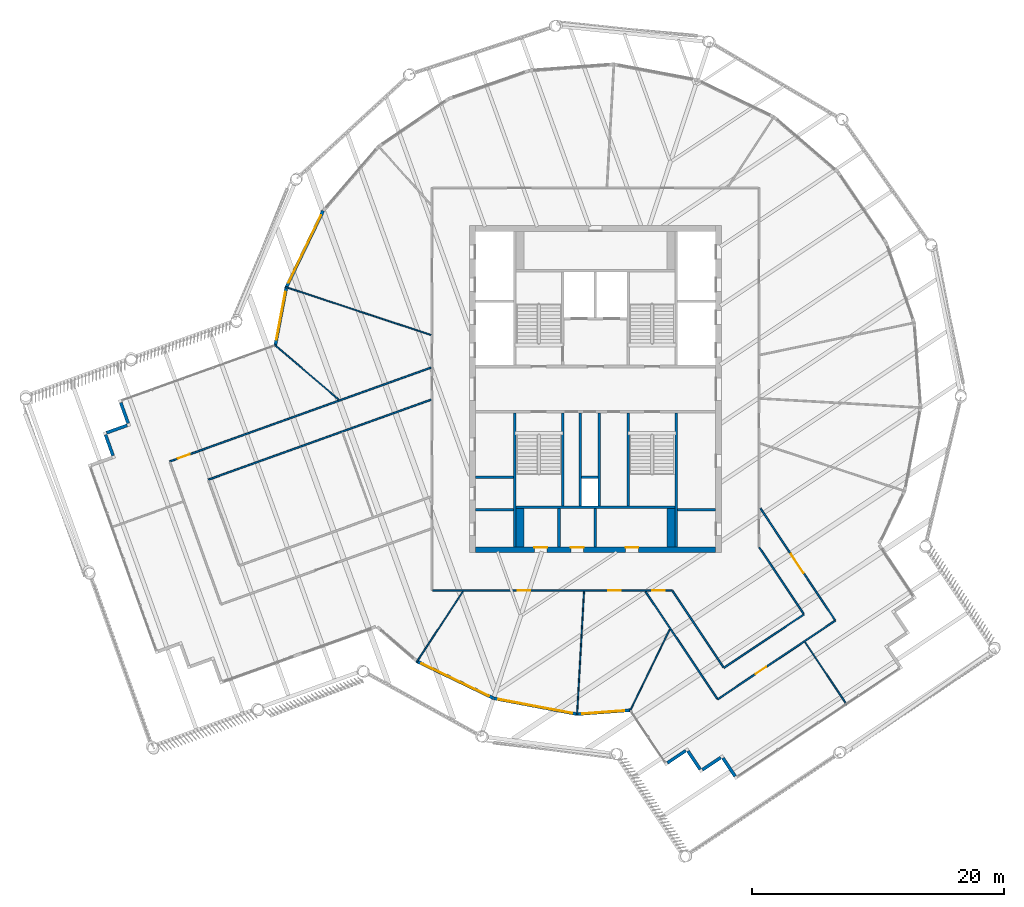
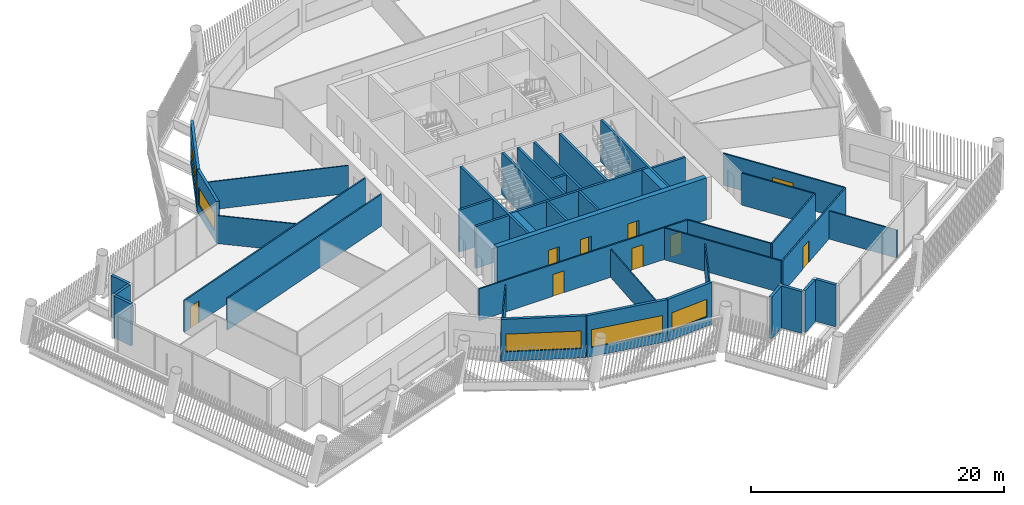
# One storey, part 17 of 28: 43 walls, 9 doors, 5 windows, 14 openings.
"""IFC4 building model written with IfcOpenShell, lengths in metres."""

from ifc_helpers import new_model, si_unit, direction, frame, frame_2d, origin, place, context, subcontext, project, spatial, rectangle, extrude, material, layer, layer_set, type_object, element, fill, save


model = new_model("IFC4")

# Units and contexts
model_context = context("Model", 3, precision=1e-05, world=origin(), true_north=direction((0.0, 1.0)))
body_context = subcontext(model_context, "Body", "Model", "MODEL_VIEW")
ifc_project = project(units=[si_unit("LENGTHUNIT", "METRE"), si_unit("AREAUNIT", "SQUARE_METRE"), si_unit("VOLUMEUNIT", "CUBIC_METRE"), si_unit("PLANEANGLEUNIT", "RADIAN"), si_unit("MASSUNIT", "GRAM", prefix="KILO")], contexts=[model_context])

# Site, building, storey
site_placement = place(None, origin())
site = spatial("IfcSite", under=ifc_project, at=site_placement, CompositionType="ELEMENT")
building_placement = place(site_placement, origin())
building = spatial("IfcBuilding", under=site, at=building_placement, Name="Tarsis Ring Headquarters", CompositionType="ELEMENT")
storey_placement = place(building_placement, frame((0.0, 0.0, 365.0)))
storey = spatial("IfcBuildingStorey", under=building, at=storey_placement, Name="L86", CompositionType="ELEMENT", Elevation=365.0)

# Walls
ifc_material_1 = material(Name="Blockwork", Category="masonry")
ifc_layer_1 = layer(ifc_material_1, 0.199951171875)
ifc_layer_set_1 = layer_set([ifc_layer_1], Name="Core blockwork wall 200")
wall_type_1 = type_object("IfcWallType", Name="Core blockwork wall 200", PredefinedType="PARTITIONING", material=ifc_layer_set_1)
for number, where, z_axis, x_axis, name in (
    (1, (-9.550048828125, -9.60009765625, 0.0), (0.0, 0.0, 1.0), (1.0, 0.0, 0.0), "Core partition WD1"),
    (2, (-9.550048828125, -7.0, 0.0), (0.0, 0.0, 1.0), (1.0, 0.0, 0.0), "Core partition WD2"),
    (3, (6.5, -9.60009765625, 0.0), (0.0, 0.0, 1.0), (1.0, 0.0, 0.0), "Core partition ED1"),
    (4, (-2.89990234375, -12.550048828125, 0.0), (0.0, 0.0, 1.0), (0.0, 1.0, 0.0), "Core partition SD1"),
    (5, (0.0, -12.550048828125, 0.0), (0.0, 0.0, 1.0), (0.0, 1.0, 0.0), "Core partition SD2"),
):
    element("IfcWall", number, at=place(storey_placement, frame(where, z_axis=z_axis, x_axis=x_axis)), inside=storey, type_object=wall_type_1, Name=name, PredefinedType="PARTITIONING", context=body_context, shape_type="SweptSolid", body=[
        extrude(rectangle(XDim=3.050048828125, YDim=0.199951171875, at=frame_2d((1.52490234375, 0.0))), origin(), (0.0, 0.0, 1.0), 4.0400390625),
    ])
wall_1_placement = place(storey_placement, frame((-1.10009765625, -7.0, 0.0), z_axis=(0.0, 0.0, 1.0), x_axis=(1.0, 0.0, 0.0)))
element("IfcWall", 6, at=wall_1_placement, inside=storey, type_object=wall_type_1, Name="Core partition SP2", PredefinedType="PARTITIONING", context=body_context, shape_type="SweptSolid", body=[
    extrude(rectangle(XDim=1.300048828125, YDim=0.199951171875, at=frame_2d((0.64990234375, 0.0))), origin(), (0.0, 0.0, 1.0), 4.0400390625),
])
for number, where, z_axis, x_axis, name in (
    (7, (-1.199951171875, -9.300048828125, 0.0), (0.0, 0.0, 1.0), (0.0, 1.0, 0.0), "Core partition SV1"),
    (8, (0.300048828125, -9.300048828125, 0.0), (0.0, 0.0, 1.0), (0.0, 1.0, 0.0), "Core partition SV2"),
):
    element("IfcWall", number, at=place(storey_placement, frame(where, z_axis=z_axis, x_axis=x_axis)), inside=storey, type_object=wall_type_1, Name=name, PredefinedType="PARTITIONING", context=body_context, shape_type="SweptSolid", body=[
        extrude(rectangle(XDim=7.400146484375, YDim=0.199951171875, at=frame_2d((3.7001953125, 0.0))), origin(), (0.0, 0.0, 1.0), 4.0400390625),
    ])

# Wall, openings, doors
ifc_material_2 = material(Name="Concrete C50/60", Category="concrete")
ifc_layer_2 = layer(ifc_material_2, 0.449951171875)
ifc_layer_set_2 = layer_set([ifc_layer_2], Name="Core wall 450 C50/60")
wall_type_2 = type_object("IfcWallType", Name="Core wall 450 C50/60", PredefinedType="SHEAR", material=ifc_layer_set_2)
wall_2_placement = place(storey_placement, frame((-9.550048828125, -12.77490234375, 0.0), z_axis=(0.0, 0.0, 1.0), x_axis=(1.0, 0.0, 0.0)))
wall_2 = element("IfcWall", 9, at=wall_2_placement, inside=storey, type_object=wall_type_2, Name="Core wall OS", PredefinedType="SHEAR", context=body_context, shape_type="SweptSolid", body=[
    extrude(rectangle(XDim=19.10009765625, YDim=0.449951171875, at=frame_2d((9.550048828125, 0.0))), origin(), (0.0, 0.0, 1.0), 4.0400390625),
])
opening_1_placement = place(wall_2_placement, frame((4.699951171875, 0.0, 0.0)))
opening_1 = element("IfcOpeningElement", 10, at=opening_1_placement, cuts=wall_2, Name="Opening L86-C17", PredefinedType="OPENING", context=body_context, shape_type="SweptSolid", body=[
    extrude(rectangle(XDim=1.0, YDim=2.10009765625, at=frame_2d((0.5, 1.050048828125))), frame((0.0, 0.23486328125, 0.0), z_axis=(0.0, -1.0, 0.0), x_axis=(1.0, 0.0, 0.0)), (0.0, 0.0, 1.0), 0.469970703125),
])
opening_2_placement = place(wall_2_placement, frame((7.60009765625, 0.0, 0.0)))
opening_2 = element("IfcOpeningElement", 11, at=opening_2_placement, cuts=wall_2, Name="Opening L86-C18", PredefinedType="OPENING", context=body_context, shape_type="SweptSolid", body=[
    extrude(rectangle(XDim=1.0, YDim=2.10009765625, at=frame_2d((0.5, 1.050048828125))), frame((0.0, 0.23486328125, 0.0), z_axis=(0.0, -1.0, 0.0), x_axis=(1.0, 0.0, 0.0)), (0.0, 0.0, 1.0), 0.469970703125),
])
opening_3_placement = place(wall_2_placement, frame((11.949951171875, 0.0, 0.0)))
opening_3 = element("IfcOpeningElement", 12, at=opening_3_placement, cuts=wall_2, Name="Opening L86-C19", PredefinedType="OPENING", context=body_context, shape_type="SweptSolid", body=[
    extrude(rectangle(XDim=1.0, YDim=2.10009765625, at=frame_2d((0.5, 1.050048828125))), frame((0.0, 0.23486328125, 0.0), z_axis=(0.0, -1.0, 0.0), x_axis=(1.0, 0.0, 0.0)), (0.0, 0.0, 1.0), 0.469970703125),
])
ifc_material_3 = material(Name="Steel S355", Category="steel")
door_type_1 = type_object("IfcDoorType", Name="Core room door 1000x2100", OperationType="SINGLE_SWING_LEFT", PredefinedType="DOOR", material=ifc_material_3)
door_1_placement = place(opening_1_placement, origin())
door_1 = element("IfcDoor", 13, at=door_1_placement, inside=storey, type_object=door_type_1, Name="Core room door L86", OperationType="SINGLE_SWING_LEFT", OverallHeight=2.10009765625, OverallWidth=1.0, PredefinedType="DOOR", context=body_context, shape_type="SweptSolid", body=[
    extrude(rectangle(XDim=1.0, YDim=2.10009765625, at=frame_2d((0.5, 1.050048828125))), frame((0.0, 0.22509765625, 0.0), z_axis=(0.0, -1.0, 0.0), x_axis=(1.0, 0.0, 0.0)), (0.0, 0.0, 1.0), 0.050048828125),
])
fill(opening_1, door_1)
door_2_placement = place(opening_2_placement, origin())
door_2 = element("IfcDoor", 14, at=door_2_placement, inside=storey, type_object=door_type_1, Name="Core room door L86", OperationType="SINGLE_SWING_LEFT", OverallHeight=2.10009765625, OverallWidth=1.0, PredefinedType="DOOR", context=body_context, shape_type="SweptSolid", body=[
    extrude(rectangle(XDim=1.0, YDim=2.10009765625, at=frame_2d((0.5, 1.050048828125))), frame((0.0, 0.22509765625, 0.0), z_axis=(0.0, -1.0, 0.0), x_axis=(1.0, 0.0, 0.0)), (0.0, 0.0, 1.0), 0.050048828125),
])
fill(opening_2, door_2)
door_3_placement = place(opening_3_placement, origin())
door_3 = element("IfcDoor", 15, at=door_3_placement, inside=storey, type_object=door_type_1, Name="Core room door L86", OperationType="SINGLE_SWING_LEFT", OverallHeight=2.10009765625, OverallWidth=1.0, PredefinedType="DOOR", context=body_context, shape_type="SweptSolid", body=[
    extrude(rectangle(XDim=1.0, YDim=2.10009765625, at=frame_2d((0.5, 1.050048828125))), frame((0.0, 0.22509765625, 0.0), z_axis=(0.0, -1.0, 0.0), x_axis=(1.0, 0.0, 0.0)), (0.0, 0.0, 1.0), 0.050048828125),
])
fill(opening_3, door_3)

# Walls
ifc_material_4 = material(Name="Gypsum board on steel studs", Category="steel")
ifc_layer_3 = layer(ifc_material_4, 0.10009765625)
ifc_layer_set_3 = layer_set([ifc_layer_3], Name="FL partition 100 unrated")
wall_type_3 = type_object("IfcWallType", Name="FL partition 100 unrated", PredefinedType="PARTITIONING", material=ifc_layer_set_3)
wall_3_placement = place(storey_placement, frame((-24.64404296875, 8.12158203125, 0.0), z_axis=(0.0, 0.0, 1.0), x_axis=(0.94975616194, -0.312990787175, 0.0)))
element("IfcWall", 16, at=wall_3_placement, inside=storey, type_object=wall_type_3, Name="Partition PW3", PredefinedType="PARTITIONING", context=body_context, shape_type="SweptSolid", body=[
    extrude(rectangle(XDim=12.18017578125, YDim=0.10009765625, at=frame_2d((6.090087890625, 0.0))), origin(), (0.0, 0.0, 1.0), 2.699951171875),
])
wall_4_placement = place(storey_placement, frame((-1.466552734375, -25.906494140625, 0.0), z_axis=(0.0, 0.0, 1.0), x_axis=(0.056522633009, 0.998401318087, 0.0)))
element("IfcWall", 17, at=wall_4_placement, inside=storey, type_object=wall_type_3, Name="Partition PW3", PredefinedType="PARTITIONING", context=body_context, shape_type="SweptSolid", body=[
    extrude(rectangle(XDim=9.8525390625, YDim=0.10009765625, at=frame_2d((4.92626953125, 0.0))), origin(), (0.0, 0.0, 1.0), 2.699951171875),
])
wall_5_placement = place(storey_placement, frame((2.74462890625, -25.56494140625, 0.0), z_axis=(0.0, 0.0, 1.0), x_axis=(0.438219040433, 0.898868217595, 0.0)))
element("IfcWall", 18, at=wall_5_placement, inside=storey, type_object=wall_type_3, Name="Partition PW3", PredefinedType="PARTITIONING", context=body_context, shape_type="SweptSolid", body=[
    extrude(rectangle(XDim=7.194580078125, YDim=0.10009765625, at=frame_2d((3.59716796875, 0.0))), origin(), (0.0, 0.0, 1.0), 2.699951171875),
])
wall_6_placement = place(storey_placement, frame((-14.22314453125, -21.702392578125, 0.0), z_axis=(0.0, 0.0, 1.0), x_axis=(0.548107797113, 0.83640770127, 0.0)))
element("IfcWall", 19, at=wall_6_placement, inside=storey, type_object=wall_type_3, Name="Partition PW3", PredefinedType="PARTITIONING", context=body_context, shape_type="SweptSolid", body=[
    extrude(rectangle(XDim=6.7177734375, YDim=0.10009765625, at=frame_2d((3.35888671875, 0.0))), origin(), (0.0, 0.0, 1.0), 2.699951171875),
])
wall_7_placement = place(storey_placement, frame((-25.49169921875, 3.513671875, 0.0), z_axis=(0.0, 0.0, 1.0), x_axis=(0.760518407573, -0.649316372612, 0.0)))
element("IfcWall", 20, at=wall_7_placement, inside=storey, type_object=wall_type_3, Name="Partition PW3", PredefinedType="PARTITIONING", context=body_context, shape_type="SweptSolid", body=[
    extrude(rectangle(XDim=6.698486328125, YDim=0.10009765625, at=frame_2d((3.34912109375, 0.0))), origin(), (0.0, 0.0, 1.0), 2.699951171875),
])
wall_8_placement = place(storey_placement, frame((16.64599609375, -20.0986328125, 0.0), z_axis=(0.0, 0.0, 1.0), x_axis=(0.555724976523, -0.831366195168, 0.0)))
element("IfcWall", 21, at=wall_8_placement, inside=storey, type_object=wall_type_3, Name="Partition PW3", PredefinedType="PARTITIONING", context=body_context, shape_type="SweptSolid", body=[
    extrude(rectangle(XDim=5.990234375, YDim=0.10009765625, at=frame_2d((2.9951171875, 0.0))), origin(), (0.0, 0.0, 1.0), 2.699951171875),
])

# Wall, opening, door
ifc_layer_4 = layer(ifc_material_4, 0.125)
ifc_layer_set_4 = layer_set([ifc_layer_4], Name="FL partition 125 EI 60 H3070")
wall_type_4 = type_object("IfcWallType", Name="FL partition 125 EI 60 H3070", PredefinedType="PARTITIONING", material=ifc_layer_set_4)
wall_9_placement = place(storey_placement, frame((-33.848388671875, -5.752197265625, 0.0), z_axis=(0.0, 0.0, 1.0), x_axis=(0.941117447114, 0.338079799364, 0.0)))
wall_9 = element("IfcWall", 22, at=wall_9_placement, inside=storey, type_object=wall_type_4, Name="Partition PW1H307", PredefinedType="PARTITIONING", context=body_context, shape_type="SweptSolid", body=[
    extrude(rectangle(XDim=22.072998046875, YDim=0.125, at=frame_2d((11.03662109375, 0.0))), origin(), (0.0, 0.0, 1.0), 3.070068359375),
])
opening_4_placement = place(wall_9_placement, frame((0.699951171875, 0.0, 0.0)))
opening_4 = element("IfcOpeningElement", 23, at=opening_4_placement, cuts=wall_9, Name="Opening D86.02", PredefinedType="OPENING", context=body_context, shape_type="SweptSolid", body=[
    extrude(rectangle(XDim=1.0, YDim=2.10009765625, at=frame_2d((0.5, 1.050048828125))), frame((0.0, 0.072509765625, 0.0), z_axis=(0.0, -1.0, 0.0), x_axis=(1.0, 0.0, 0.0)), (0.0, 0.0, 1.0), 0.14501953125),
])
ifc_material_5 = material(Name="Fire-rated timber door leaf in steel frame", Category="steel")
door_type_2 = type_object("IfcDoorType", Name="FL door FD60-1000", OperationType="NOTDEFINED", PredefinedType="DOOR", material=ifc_material_5)
door_4_placement = place(opening_4_placement, origin())
door_4 = element("IfcDoor", 24, at=door_4_placement, inside=storey, type_object=door_type_2, Name="Door D86.02", OperationType="SINGLE_SWING_RIGHT", OverallHeight=2.10009765625, OverallWidth=1.0, PredefinedType="DOOR", context=body_context, shape_type="SweptSolid", body=[
    extrude(rectangle(XDim=1.0, YDim=2.10009765625, at=frame_2d((0.5, 1.050048828125))), frame((0.0, 0.02490234375, 0.0), z_axis=(0.0, -1.0, 0.0), x_axis=(1.0, 0.0, 0.0)), (0.0, 0.0, 1.0), 0.050048828125),
])
fill(opening_4, door_4)

# Wall, openings, doors
wall_10_placement = place(storey_placement, frame((-12.93994140625, -16.0, 0.0), z_axis=(0.0, 0.0, 1.0), x_axis=(1.0, 0.0, 0.0)))
wall_10 = element("IfcWall", 25, at=wall_10_placement, inside=storey, type_object=wall_type_4, Name="Partition PW1H307", PredefinedType="PARTITIONING", context=body_context, shape_type="SweptSolid", body=[
    extrude(rectangle(XDim=19.028076171875, YDim=0.125, at=frame_2d((9.51416015625, 0.0))), origin(), (0.0, 0.0, 1.0), 3.070068359375),
])
opening_5_placement = place(wall_10_placement, frame((13.948486328125, 0.0, 0.0)))
opening_5 = element("IfcOpeningElement", 26, at=opening_5_placement, cuts=wall_10, Name="Opening D86.12", PredefinedType="OPENING", context=body_context, shape_type="SweptSolid", body=[
    extrude(rectangle(XDim=1.0, YDim=2.10009765625, at=frame_2d((0.5, 1.050048828125))), frame((0.0, 0.072509765625, 0.0), z_axis=(0.0, -1.0, 0.0), x_axis=(1.0, 0.0, 0.0)), (0.0, 0.0, 1.0), 0.14501953125),
])
opening_6_placement = place(wall_10_placement, frame((6.744140625, 0.0, 0.0)))
opening_6 = element("IfcOpeningElement", 27, at=opening_6_placement, cuts=wall_10, Name="Opening D86.13", PredefinedType="OPENING", context=body_context, shape_type="SweptSolid", body=[
    extrude(rectangle(XDim=1.0, YDim=2.10009765625, at=frame_2d((0.5, 1.050048828125))), frame((0.0, 0.072509765625, 0.0), z_axis=(0.0, -1.0, 0.0), x_axis=(1.0, 0.0, 0.0)), (0.0, 0.0, 1.0), 0.14501953125),
])
opening_7_placement = place(wall_10_placement, frame((17.445556640625, 0.0, 0.0)))
opening_7 = element("IfcOpeningElement", 28, at=opening_7_placement, cuts=wall_10, Name="Opening D86.15", PredefinedType="OPENING", context=body_context, shape_type="SweptSolid", body=[
    extrude(rectangle(XDim=1.0, YDim=2.10009765625, at=frame_2d((0.5, 1.050048828125))), frame((0.0, 0.072509765625, 0.0), z_axis=(0.0, -1.0, 0.0), x_axis=(1.0, 0.0, 0.0)), (0.0, 0.0, 1.0), 0.14501953125),
])
door_5_placement = place(opening_5_placement, origin())
door_5 = element("IfcDoor", 29, at=door_5_placement, inside=storey, type_object=door_type_2, Name="Door D86.12", OperationType="SINGLE_SWING_RIGHT", OverallHeight=2.10009765625, OverallWidth=1.0, PredefinedType="DOOR", context=body_context, shape_type="SweptSolid", body=[
    extrude(rectangle(XDim=1.0, YDim=2.10009765625, at=frame_2d((0.5, 1.050048828125))), frame((0.0, 0.02490234375, 0.0), z_axis=(0.0, -1.0, 0.0), x_axis=(1.0, 0.0, 0.0)), (0.0, 0.0, 1.0), 0.050048828125),
])
fill(opening_5, door_5)
door_6_placement = place(opening_6_placement, origin())
door_6 = element("IfcDoor", 30, at=door_6_placement, inside=storey, type_object=door_type_2, Name="Door D86.13", OperationType="SINGLE_SWING_LEFT", OverallHeight=2.10009765625, OverallWidth=1.0, PredefinedType="DOOR", context=body_context, shape_type="SweptSolid", body=[
    extrude(rectangle(XDim=1.0, YDim=2.10009765625, at=frame_2d((0.5, 1.050048828125))), frame((0.0, 0.02490234375, 0.0), z_axis=(0.0, -1.0, 0.0), x_axis=(1.0, 0.0, 0.0)), (0.0, 0.0, 1.0), 0.050048828125),
])
fill(opening_6, door_6)
door_7_placement = place(opening_7_placement, origin())
door_7 = element("IfcDoor", 31, at=door_7_placement, inside=storey, type_object=door_type_2, Name="Door D86.15", OperationType="SINGLE_SWING_LEFT", OverallHeight=2.10009765625, OverallWidth=1.0, PredefinedType="DOOR", context=body_context, shape_type="SweptSolid", body=[
    extrude(rectangle(XDim=1.0, YDim=2.10009765625, at=frame_2d((0.5, 1.050048828125))), frame((0.0, 0.02490234375, 0.0), z_axis=(0.0, -1.0, 0.0), x_axis=(1.0, 0.0, 0.0)), (0.0, 0.0, 1.0), 0.050048828125),
])
fill(opening_7, door_7)

# Wall
wall_11_placement = place(storey_placement, frame((-30.7783203125, -7.199462890625, 0.0), z_axis=(0.0, 0.0, 1.0), x_axis=(0.941120146282, 0.338072285558, 0.0)))
element("IfcWall", 32, at=wall_11_placement, inside=storey, type_object=wall_type_4, Name="Partition PW1H307", PredefinedType="PARTITIONING", context=body_context, shape_type="SweptSolid", body=[
    extrude(rectangle(XDim=18.810791015625, YDim=0.125, at=frame_2d((9.4052734375, 0.0))), origin(), (0.0, 0.0, 1.0), 3.070068359375),
])

# Wall, opening, door
wall_12_placement = place(storey_placement, frame((9.706787109375, -24.65283203125, 0.0), z_axis=(0.0, 0.0, 1.0), x_axis=(0.831375869595, 0.555710503279, 0.0)))
wall_12 = element("IfcWall", 33, at=wall_12_placement, inside=storey, type_object=wall_type_4, Name="Partition PW1H307", PredefinedType="PARTITIONING", context=body_context, shape_type="SweptSolid", body=[
    extrude(rectangle(XDim=11.260009765625, YDim=0.125, at=frame_2d((5.6298828125, 0.0))), origin(), (0.0, 0.0, 1.0), 3.070068359375),
])
opening_8_placement = place(wall_12_placement, frame((3.648193359375, 0.0, 0.0)))
opening_8 = element("IfcOpeningElement", 34, at=opening_8_placement, cuts=wall_12, Name="Opening D86.11", PredefinedType="OPENING", context=body_context, shape_type="SweptSolid", body=[
    extrude(rectangle(XDim=1.0, YDim=2.10009765625, at=frame_2d((0.5, 1.050048828125))), frame((0.0, 0.072509765625, 0.0), z_axis=(0.0, -1.0, 0.0), x_axis=(1.0, 0.0, 0.0)), (0.0, 0.0, 1.0), 0.14501953125),
])
door_8_placement = place(opening_8_placement, origin())
door_8 = element("IfcDoor", 35, at=door_8_placement, inside=storey, type_object=door_type_2, Name="Door D86.11", OperationType="SINGLE_SWING_LEFT", OverallHeight=2.10009765625, OverallWidth=1.0, PredefinedType="DOOR", context=body_context, shape_type="SweptSolid", body=[
    extrude(rectangle(XDim=1.0, YDim=2.10009765625, at=frame_2d((0.5, 1.050048828125))), frame((0.0, 0.02490234375, 0.0), z_axis=(0.0, -1.0, 0.0), x_axis=(1.0, 0.0, 0.0)), (0.0, 0.0, 1.0), 0.050048828125),
])
fill(opening_8, door_8)

wall_13_placement = place(storey_placement, frame((13.105712890625, -9.475341796875, 0.0), z_axis=(0.0, 0.0, 1.0), x_axis=(0.555713635573, -0.83137377589, 0.0)))
wall_13 = element("IfcWall", 36, at=wall_13_placement, inside=storey, type_object=wall_type_4, Name="Partition PW1H307", PredefinedType="PARTITIONING", context=body_context, shape_type="SweptSolid", body=[
    extrude(rectangle(XDim=10.66943359375, YDim=0.125, at=frame_2d((5.334716796875, 0.0))), origin(), (0.0, 0.0, 1.0), 3.070068359375),
])
opening_9_placement = place(wall_13_placement, frame((4.36962890625, 0.0, 0.0)))
opening_9 = element("IfcOpeningElement", 37, at=opening_9_placement, cuts=wall_13, Name="Opening D86.10", PredefinedType="OPENING", context=body_context, shape_type="SweptSolid", body=[
    extrude(rectangle(XDim=1.800048828125, YDim=2.10009765625, at=frame_2d((0.89990234375, 1.050048828125))), frame((0.0, 0.072509765625, 0.0), z_axis=(0.0, -1.0, 0.0), x_axis=(1.0, 0.0, 0.0)), (0.0, 0.0, 1.0), 0.14501953125),
])
door_type_3 = type_object("IfcDoorType", Name="FL door FD60-1800", OperationType="DOUBLE_DOOR_SINGLE_SWING", PredefinedType="DOOR", material=ifc_material_5)
door_9_placement = place(opening_9_placement, origin())
door_9 = element("IfcDoor", 38, at=door_9_placement, inside=storey, type_object=door_type_3, Name="Door D86.10", OperationType="DOUBLE_DOOR_SINGLE_SWING", OverallHeight=2.10009765625, OverallWidth=1.800048828125, PredefinedType="DOOR", context=body_context, shape_type="SweptSolid", body=[
    extrude(rectangle(XDim=1.800048828125, YDim=2.10009765625, at=frame_2d((0.89990234375, 1.050048828125))), frame((0.0, 0.02490234375, 0.0), z_axis=(0.0, -1.0, 0.0), x_axis=(1.0, 0.0, 0.0)), (0.0, 0.0, 1.0), 0.050048828125),
])
fill(opening_9, door_9)

# Walls
wall_14_placement = place(storey_placement, frame((3.984130859375, -16.091552734375, 0.0), z_axis=(0.0, 0.0, 1.0), x_axis=(0.555723349966, -0.831367282435, 0.0)))
element("IfcWall", 39, at=wall_14_placement, inside=storey, type_object=wall_type_4, Name="Partition PW1H307", PredefinedType="PARTITIONING", context=body_context, shape_type="SweptSolid", body=[
    extrude(rectangle(XDim=10.238037109375, YDim=0.125, at=frame_2d((5.119140625, 0.0))), origin(), (0.0, 0.0, 1.0), 3.070068359375),
])
wall_15_placement = place(storey_placement, frame((10.202880859375, -22.15625, 0.0), z_axis=(0.0, 0.0, 1.0), x_axis=(0.831373014781, 0.555714774227, 0.0)))
element("IfcWall", 40, at=wall_15_placement, inside=storey, type_object=wall_type_4, Name="Partition PW1H307", PredefinedType="PARTITIONING", context=body_context, shape_type="SweptSolid", body=[
    extrude(rectangle(XDim=7.66015625, YDim=0.125, at=frame_2d((3.830078125, 0.0))), origin(), (0.0, 0.0, 1.0), 3.070068359375),
])
wall_16_placement = place(storey_placement, frame((6.1103515625, -16.033203125, 0.0), z_axis=(0.0, 0.0, 1.0), x_axis=(0.555710164694, -0.831376095913, 0.0)))
element("IfcWall", 41, at=wall_16_placement, inside=storey, type_object=wall_type_4, Name="Partition PW1H307", PredefinedType="PARTITIONING", context=body_context, shape_type="SweptSolid", body=[
    extrude(rectangle(XDim=7.3046875, YDim=0.125, at=frame_2d((3.65234375, 0.0))), origin(), (0.0, 0.0, 1.0), 3.070068359375),
])
wall_17_placement = place(storey_placement, frame((13.0166015625, -12.581298828125, 0.0), z_axis=(0.0, 0.0, 1.0), x_axis=(0.555713340939, -0.831373972832, 0.0)))
element("IfcWall", 42, at=wall_17_placement, inside=storey, type_object=wall_type_4, Name="Partition PW1H307", PredefinedType="PARTITIONING", context=body_context, shape_type="SweptSolid", body=[
    extrude(rectangle(XDim=6.3369140625, YDim=0.125, at=frame_2d((3.16845703125, 0.0))), origin(), (0.0, 0.0, 1.0), 3.070068359375),
])

# Wall, opening, window
ifc_material_6 = material(Name="Terracotta clad insulated panel wall", Category="masonry")
ifc_layer_5 = layer(ifc_material_6, 0.25)
ifc_layer_set_5 = layer_set([ifc_layer_5], Name="Facade wall terracotta panel 250")
wall_type_5 = type_object("IfcWallType", Name="Facade wall terracotta panel 250", PredefinedType="STANDARD", material=ifc_layer_set_5)
wall_18_placement = place(storey_placement, frame((-14.16796875, -21.647705078125, 0.0), z_axis=(0.0, 0.0, 1.0), x_axis=(0.900784919903, -0.434265504127, 0.0)))
wall_18 = element("IfcWall", 43, at=wall_18_placement, inside=storey, type_object=wall_type_5, Name="External wall L86-03", PredefinedType="STANDARD", context=body_context, shape_type="SweptSolid", body=[
    extrude(rectangle(XDim=6.7216796875, YDim=0.25, at=frame_2d((3.36083984375, 0.0))), origin(), (0.0, 0.0, 1.0), 4.0400390625),
])
opening_10_placement = place(wall_18_placement, frame((0.3857421875, 0.0, 0.89990234375)))
opening_10 = element("IfcOpeningElement", 44, at=opening_10_placement, cuts=wall_18, Name="Opening WN07", PredefinedType="OPENING", context=body_context, shape_type="SweptSolid", body=[
    extrude(rectangle(XDim=5.949951171875, YDim=1.699951171875, at=frame_2d((2.97509765625, 0.85009765625))), frame((0.0, 0.135009765625, 0.0), z_axis=(0.0, -1.0, 0.0), x_axis=(1.0, 0.0, 0.0)), (0.0, 0.0, 1.0), 0.27001953125),
])
ifc_material_7 = material(Name="Aluminium framed double glazing", Category="aluminium")
window_type_1 = type_object("IfcWindowType", Name="Facade window 5950 x 1700", PartitioningType="SINGLE_PANEL", PredefinedType="WINDOW", material=ifc_material_7)
window_1_placement = place(opening_10_placement, origin())
window_1 = element("IfcWindow", 45, at=window_1_placement, inside=storey, type_object=window_type_1, Name="Window L86-03.1", OverallHeight=1.699951171875, OverallWidth=5.949951171875, PartitioningType="SINGLE_PANEL", PredefinedType="WINDOW", context=body_context, shape_type="SweptSolid", body=[
    extrude(rectangle(XDim=5.949951171875, YDim=1.699951171875, at=frame_2d((2.97509765625, 0.85009765625))), frame((0.0, 0.030029296875, 0.0), z_axis=(0.0, -1.0, 0.0), x_axis=(1.0, 0.0, 0.0)), (0.0, 0.0, 1.0), 0.06005859375),
])
fill(opening_10, window_1)

wall_19_placement = place(storey_placement, frame((-8.082275390625, -24.576904296875, 0.0), z_axis=(0.0, 0.0, 1.0), x_axis=(0.982479759493, -0.186369316646, 0.0)))
wall_19 = element("IfcWall", 46, at=wall_19_placement, inside=storey, type_object=wall_type_5, Name="External wall L86-04", PredefinedType="STANDARD", context=body_context, shape_type="SweptSolid", body=[
    extrude(rectangle(XDim=6.721435546875, YDim=0.25, at=frame_2d((3.36083984375, 0.0))), origin(), (0.0, 0.0, 1.0), 4.0400390625),
])
opening_11_placement = place(wall_19_placement, frame((0.3857421875, 0.0, 0.89990234375)))
opening_11 = element("IfcOpeningElement", 47, at=opening_11_placement, cuts=wall_19, Name="Opening WN07", PredefinedType="OPENING", context=body_context, shape_type="SweptSolid", body=[
    extrude(rectangle(XDim=5.949951171875, YDim=1.699951171875, at=frame_2d((2.97509765625, 0.85009765625))), frame((0.0, 0.135009765625, 0.0), z_axis=(0.0, -1.0, 0.0), x_axis=(1.0, 0.0, 0.0)), (0.0, 0.0, 1.0), 0.27001953125),
])
window_2_placement = place(opening_11_placement, origin())
window_2 = element("IfcWindow", 48, at=window_2_placement, inside=storey, type_object=window_type_1, Name="Window L86-04.1", OverallHeight=1.699951171875, OverallWidth=5.949951171875, PartitioningType="SINGLE_PANEL", PredefinedType="WINDOW", context=body_context, shape_type="SweptSolid", body=[
    extrude(rectangle(XDim=5.949951171875, YDim=1.699951171875, at=frame_2d((2.97509765625, 0.85009765625))), frame((0.0, 0.030029296875, 0.0), z_axis=(0.0, -1.0, 0.0), x_axis=(1.0, 0.0, 0.0)), (0.0, 0.0, 1.0), 0.06005859375),
])
fill(opening_11, window_2)

wall_20_placement = place(storey_placement, frame((-1.446044921875, -25.831298828125, 0.0), z_axis=(0.0, 0.0, 1.0), x_axis=(0.997235801333, 0.074301793656, 0.0)))
wall_20 = element("IfcWall", 49, at=wall_20_placement, inside=storey, type_object=wall_type_5, Name="External wall L86-05", PredefinedType="STANDARD", context=body_context, shape_type="SweptSolid", body=[
    extrude(rectangle(XDim=4.20263671875, YDim=0.25, at=frame_2d((2.101318359375, 0.0))), origin(), (0.0, 0.0, 1.0), 4.0400390625),
])
opening_12_placement = place(wall_20_placement, frame((0.38720703125, 0.0, 0.89990234375)))
opening_12 = element("IfcOpeningElement", 50, at=opening_12_placement, cuts=wall_20, Name="Opening WN01", PredefinedType="OPENING", context=body_context, shape_type="SweptSolid", body=[
    extrude(rectangle(XDim=3.35009765625, YDim=1.699951171875, at=frame_2d((1.675048828125, 0.85009765625))), frame((0.0, 0.135009765625, 0.0), z_axis=(0.0, -1.0, 0.0), x_axis=(1.0, 0.0, 0.0)), (0.0, 0.0, 1.0), 0.27001953125),
])
window_type_2 = type_object("IfcWindowType", Name="Facade window 3350 x 1700", PartitioningType="SINGLE_PANEL", PredefinedType="WINDOW", material=ifc_material_7)
window_3_placement = place(opening_12_placement, origin())
window_3 = element("IfcWindow", 51, at=window_3_placement, inside=storey, type_object=window_type_2, Name="Window L86-05.1", OverallHeight=1.699951171875, OverallWidth=3.35009765625, PartitioningType="SINGLE_PANEL", PredefinedType="WINDOW", context=body_context, shape_type="SweptSolid", body=[
    extrude(rectangle(XDim=3.35009765625, YDim=1.699951171875, at=frame_2d((1.675048828125, 0.85009765625))), frame((0.0, 0.030029296875, 0.0), z_axis=(0.0, -1.0, 0.0), x_axis=(1.0, 0.0, 0.0)), (0.0, 0.0, 1.0), 0.06005859375),
])
fill(opening_12, window_3)

# Walls
for number, where, z_axis, x_axis, name in (
    (52, (5.721923828125, -29.7041015625, 0.0), (0.0, 0.0, 1.0), (0.831384304939, 0.555697883298, 0.0), "External wall L86-07"),
    (53, (7.350341796875, -28.76611328125, 0.0), (0.0, 0.0, 1.0), (0.555697883298, -0.831384304939, 0.0), "External wall L86-08"),
    (54, (8.49609375, -30.25537109375, 0.0), (0.0, 0.0, 1.0), (0.831384304939, 0.555697883298, 0.0), "External wall L86-09"),
    (55, (10.12451171875, -29.3173828125, 0.0), (0.0, 0.0, 1.0), (0.555633432265, -0.831427380442, 0.0), "External wall L86-10"),
):
    element("IfcWall", number, at=place(storey_placement, frame(where, z_axis=z_axis, x_axis=x_axis)), inside=storey, type_object=wall_type_5, Name=name, PredefinedType="STANDARD", context=body_context, shape_type="SweptSolid", body=[
        extrude(rectangle(XDim=1.75, YDim=0.25, at=frame_2d((0.875, 0.0))), origin(), (0.0, 0.0, 1.0), 4.0400390625),
    ])

# Wall, opening, window
wall_21_placement = place(storey_placement, frame((-21.647705078125, 14.16796875, 0.0), z_axis=(0.0, 0.0, 1.0), x_axis=(-0.434265504127, -0.900784919903, 0.0)))
wall_21 = element("IfcWall", 56, at=wall_21_placement, inside=storey, type_object=wall_type_5, Name="External wall L86-29", PredefinedType="STANDARD", context=body_context, shape_type="SweptSolid", body=[
    extrude(rectangle(XDim=6.7216796875, YDim=0.25, at=frame_2d((3.36083984375, 0.0))), origin(), (0.0, 0.0, 1.0), 4.0400390625),
])
opening_13_placement = place(wall_21_placement, frame((0.3857421875, 0.0, 0.89990234375)))
opening_13 = element("IfcOpeningElement", 57, at=opening_13_placement, cuts=wall_21, Name="Opening WN07", PredefinedType="OPENING", context=body_context, shape_type="SweptSolid", body=[
    extrude(rectangle(XDim=5.949951171875, YDim=1.699951171875, at=frame_2d((2.97509765625, 0.85009765625))), frame((0.0, 0.135009765625, 0.0), z_axis=(0.0, -1.0, 0.0), x_axis=(1.0, 0.0, 0.0)), (0.0, 0.0, 1.0), 0.27001953125),
])
window_4_placement = place(opening_13_placement, origin())
window_4 = element("IfcWindow", 58, at=window_4_placement, inside=storey, type_object=window_type_1, Name="Window L86-29.1", OverallHeight=1.699951171875, OverallWidth=5.949951171875, PartitioningType="SINGLE_PANEL", PredefinedType="WINDOW", context=body_context, shape_type="SweptSolid", body=[
    extrude(rectangle(XDim=5.949951171875, YDim=1.699951171875, at=frame_2d((2.97509765625, 0.85009765625))), frame((0.0, 0.030029296875, 0.0), z_axis=(0.0, -1.0, 0.0), x_axis=(1.0, 0.0, 0.0)), (0.0, 0.0, 1.0), 0.06005859375),
])
fill(opening_13, window_4)

wall_22_placement = place(storey_placement, frame((-24.576904296875, 8.082275390625, 0.0), z_axis=(0.0, 0.0, 1.0), x_axis=(-0.186349336609, -0.982483549351, 0.0)))
wall_22 = element("IfcWall", 59, at=wall_22_placement, inside=storey, type_object=wall_type_5, Name="External wall L86-30", PredefinedType="STANDARD", context=body_context, shape_type="SweptSolid", body=[
    extrude(rectangle(XDim=4.662841796875, YDim=0.25, at=frame_2d((2.33154296875, 0.0))), origin(), (0.0, 0.0, 1.0), 4.0400390625),
])
opening_14_placement = place(wall_22_placement, frame((0.367431640625, 0.0, 0.89990234375)))
opening_14 = element("IfcOpeningElement", 60, at=opening_14_placement, cuts=wall_22, Name="Opening WN02", PredefinedType="OPENING", context=body_context, shape_type="SweptSolid", body=[
    extrude(rectangle(XDim=3.85009765625, YDim=1.699951171875, at=frame_2d((1.925048828125, 0.85009765625))), frame((0.0, 0.135009765625, 0.0), z_axis=(0.0, -1.0, 0.0), x_axis=(1.0, 0.0, 0.0)), (0.0, 0.0, 1.0), 0.27001953125),
])
window_type_3 = type_object("IfcWindowType", Name="Facade window 3850 x 1700", PartitioningType="SINGLE_PANEL", PredefinedType="WINDOW", material=ifc_material_7)
window_5_placement = place(opening_14_placement, origin())
window_5 = element("IfcWindow", 61, at=window_5_placement, inside=storey, type_object=window_type_3, Name="Window L86-30.1", OverallHeight=1.699951171875, OverallWidth=3.85009765625, PartitioningType="SINGLE_PANEL", PredefinedType="WINDOW", context=body_context, shape_type="SweptSolid", body=[
    extrude(rectangle(XDim=3.85009765625, YDim=1.699951171875, at=frame_2d((1.925048828125, 0.85009765625))), frame((0.0, 0.030029296875, 0.0), z_axis=(0.0, -1.0, 0.0), x_axis=(1.0, 0.0, 0.0)), (0.0, 0.0, 1.0), 0.06005859375),
])
fill(opening_14, window_5)

# Walls
for number, where, z_axis, x_axis, name in (
    (62, (-37.735107421875, -1.070556640625, 0.0), (0.0, 0.0, 1.0), (0.338156256458, -0.941089977748, 0.0), "External wall L86-32"),
    (63, (-37.21875, -2.87744140625, 0.0), (0.0, 0.0, 1.0), (-0.941134366663, -0.338032696475, 0.0), "External wall L86-33"),
    (64, (-38.941162109375, -3.62890625, 0.0), (0.0, 0.0, 1.0), (0.338156256458, -0.941089977748, 0.0), "External wall L86-34"),
):
    element("IfcWall", number, at=place(storey_placement, frame(where, z_axis=z_axis, x_axis=x_axis)), inside=storey, type_object=wall_type_5, Name=name, PredefinedType="STANDARD", context=body_context, shape_type="SweptSolid", body=[
        extrude(rectangle(XDim=1.75, YDim=0.25, at=frame_2d((0.875, 0.0))), origin(), (0.0, 0.0, 1.0), 4.0400390625),
    ])
ifc_material_8 = material(Name="Concrete C32/40", Category="concrete")
ifc_layer_6 = layer(ifc_material_8, 0.60009765625)
ifc_layer_set_6 = layer_set([ifc_layer_6], Name="Shaft end wall 600 C32/40")
wall_type_6 = type_object("IfcWallType", Name="Shaft end wall 600 C32/40", PredefinedType="SOLIDWALL", material=ifc_layer_set_6)
for number, where, z_axis, x_axis, name in (
    (65, (-6.0, -12.550048828125, 0.0), (0.0, 0.0, 1.0), (0.0, 1.0, 0.0), "Core shaft wall SNE1"),
    (66, (6.0, -12.550048828125, 0.0), (0.0, 0.0, 1.0), (0.0, 1.0, 0.0), "Core shaft wall SNE2"),
):
    element("IfcWall", number, at=place(storey_placement, frame(where, z_axis=z_axis, x_axis=x_axis)), inside=storey, type_object=wall_type_6, Name=name, PredefinedType="SOLIDWALL", context=body_context, shape_type="SweptSolid", body=[
        extrude(rectangle(XDim=3.050048828125, YDim=0.60009765625, at=frame_2d((1.52490234375, 0.0))), origin(), (0.0, 0.0, 1.0), 4.0400390625),
    ])
ifc_layer_7 = layer(ifc_material_8, 0.199951171875)
ifc_layer_set_7 = layer_set([ifc_layer_7], Name="Shaft wall 200 C32/40")
wall_type_7 = type_object("IfcWallType", Name="Shaft wall 200 C32/40", PredefinedType="SOLIDWALL", material=ifc_layer_set_7)
for number, where, z_axis, x_axis, name in (
    (67, (-6.39990234375, -12.550048828125, 0.0), (0.0, 0.0, 1.0), (0.0, 1.0, 0.0), "Core shaft wall WB1"),
    (68, (6.39990234375, -12.550048828125, 0.0), (0.0, 0.0, 1.0), (0.0, 1.0, 0.0), "Core shaft wall EB1"),
):
    element("IfcWall", number, at=place(storey_placement, frame(where, z_axis=z_axis, x_axis=x_axis)), inside=storey, type_object=wall_type_7, Name=name, PredefinedType="SOLIDWALL", context=body_context, shape_type="SweptSolid", body=[
        extrude(rectangle(XDim=10.650146484375, YDim=0.199951171875, at=frame_2d((5.3251953125, 0.0))), origin(), (0.0, 0.0, 1.0), 4.0400390625),
    ])
wall_23_placement = place(storey_placement, frame((-6.300048828125, -9.39990234375, 0.0), z_axis=(0.0, 0.0, 1.0), x_axis=(1.0, 0.0, 0.0)))
element("IfcWall", 69, at=wall_23_placement, inside=storey, type_object=wall_type_7, Name="Core shaft wall SB", PredefinedType="SOLIDWALL", context=body_context, shape_type="SweptSolid", body=[
    extrude(rectangle(XDim=12.60009765625, YDim=0.199951171875, at=frame_2d((6.300048828125, 0.0))), origin(), (0.0, 0.0, 1.0), 4.0400390625),
])
for number, where, z_axis, x_axis, name in (
    (70, (-2.60009765625, -9.300048828125, 0.0), (0.0, 0.0, 1.0), (0.0, 1.0, 0.0), "Core shaft wall SW3"),
    (71, (2.60009765625, -9.300048828125, 0.0), (0.0, 0.0, 1.0), (0.0, 1.0, 0.0), "Core shaft wall SW4"),
):
    element("IfcWall", number, at=place(storey_placement, frame(where, z_axis=z_axis, x_axis=x_axis)), inside=storey, type_object=wall_type_7, Name=name, PredefinedType="SOLIDWALL", context=body_context, shape_type="SweptSolid", body=[
        extrude(rectangle(XDim=7.400146484375, YDim=0.199951171875, at=frame_2d((3.7001953125, 0.0))), origin(), (0.0, 0.0, 1.0), 4.0400390625),
    ])

save(model, "model.ifc")
